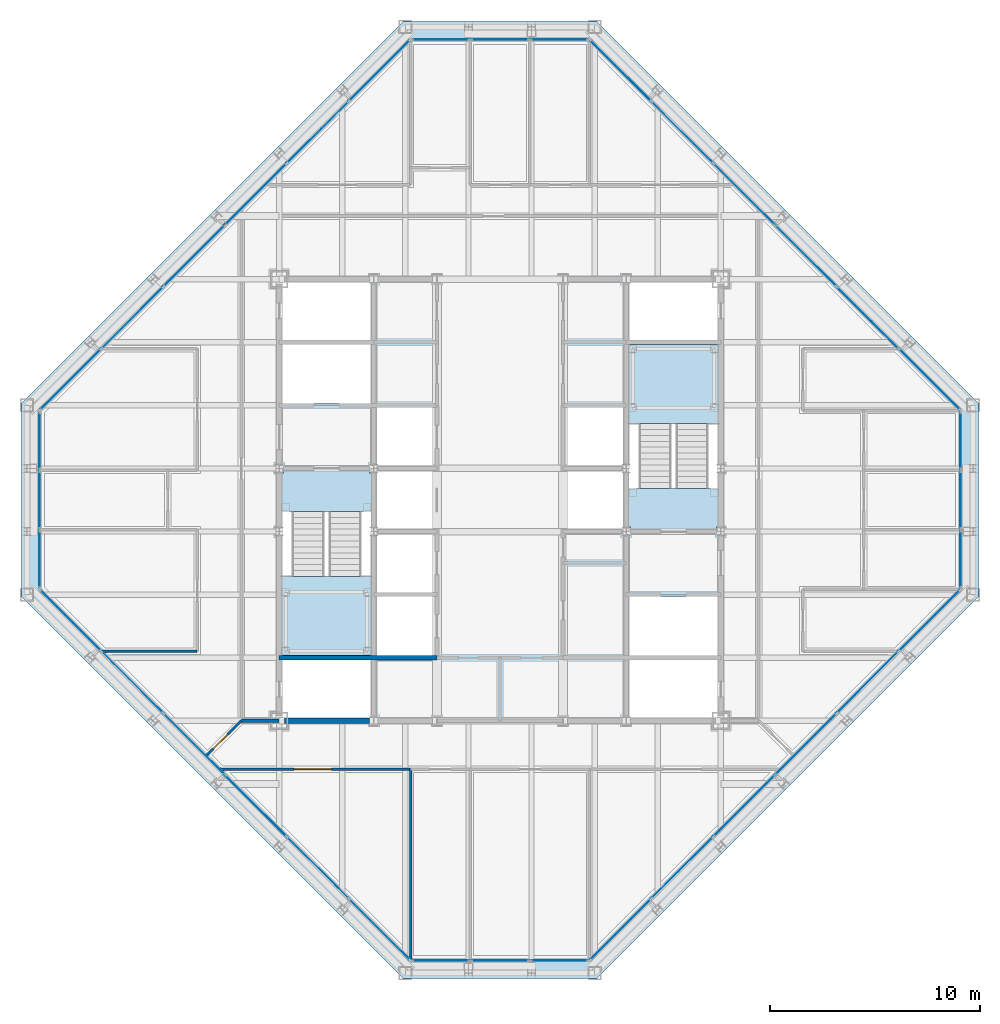
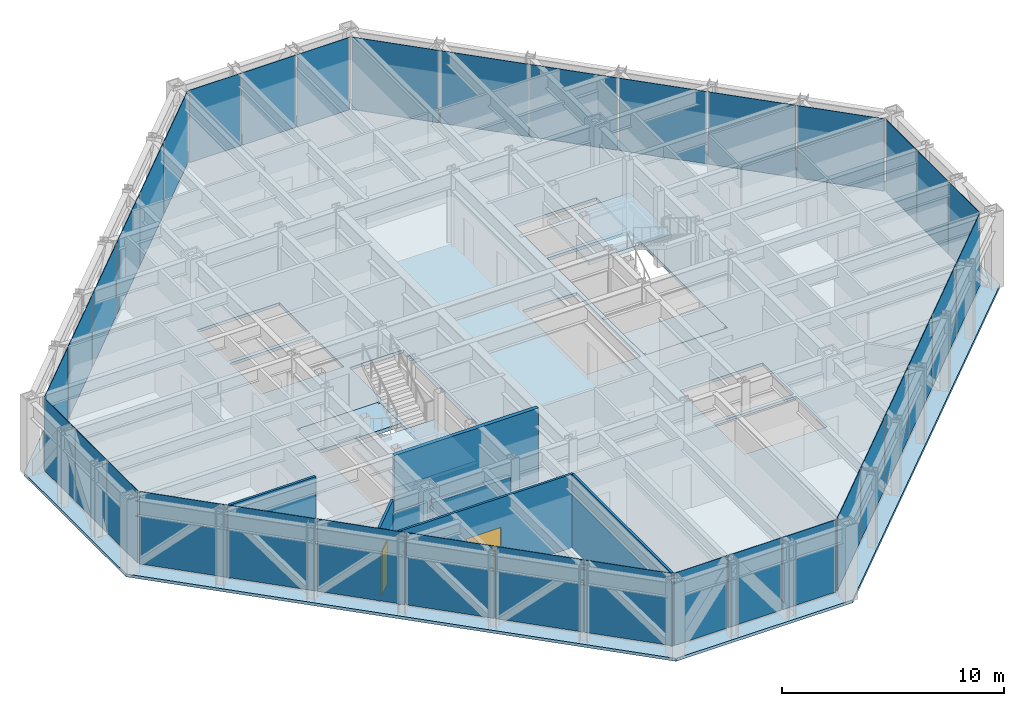
# One storey, part 9 of 15: 36 plates, 7 walls, 5 slabs, 2 doors, 2 openings, 10 elements without a shape of their own.
"""IFC4 building model written with IfcOpenShell, lengths in metres."""

from ifc_helpers import new_model, si_unit, direction, frame, frame_2d, origin, origin_2d, place, context, subcontext, project, spatial, polyline, rectangle, outline, extrude, material, layer, layer_set, type_object, element, fill, aggregate, save


model = new_model("IFC4")

# Units and contexts
model_context = context("Model", 3, precision=1e-05, world=origin(), true_north=direction((0.0, 1.0)))
body_context = subcontext(model_context, "Body", "Model", "MODEL_VIEW")
ifc_project = project(units=[si_unit("LENGTHUNIT", "METRE"), si_unit("AREAUNIT", "SQUARE_METRE"), si_unit("VOLUMEUNIT", "CUBIC_METRE"), si_unit("PLANEANGLEUNIT", "RADIAN"), si_unit("MASSUNIT", "GRAM", prefix="KILO")], contexts=[model_context])

# Site, building, storey
site_placement = place(None, origin())
site = spatial("IfcSite", under=ifc_project, at=site_placement, CompositionType="ELEMENT")
building_placement = place(site_placement, origin())
building = spatial("IfcBuilding", under=site, at=building_placement, Name="Chuquiago Exchange Tower", CompositionType="ELEMENT")
storey_placement = place(building_placement, frame((0.0, 0.0, 291.60009765625)))
storey = spatial("IfcBuildingStorey", under=building, at=storey_placement, Name="L65", CompositionType="ELEMENT", Elevation=291.60009765625)

# Curtain wall, plate
ifc_material_1 = material(Name="Aluminium curtain wall system", Category="aluminium")
ifc_layer_1 = layer(ifc_material_1, 0.22509765625)
ifc_layer_set_1 = layer_set([ifc_layer_1], Name="CW2 office curtain wall")
curtain_wall_type_1 = type_object("IfcCurtainWallType", Name="CW2 office curtain wall", PredefinedType="NOTDEFINED", material=ifc_layer_set_1)
curtain_wall_1_placement = place(storey_placement, origin())
curtain_wall_1 = element("IfcCurtainWall", 1, at=curtain_wall_1_placement, inside=storey, type_object=curtain_wall_type_1, Name="CW2 curtain wall L65", PredefinedType="NOTDEFINED")
ifc_material_2 = material(Name="Glass, insulating unit", Category="glass")
ifc_layer_2 = layer(ifc_material_2, 0.030029296875)
ifc_layer_set_2 = layer_set([ifc_layer_2], Name="CW2-P panel 30")
plate_type_1 = type_object("IfcPlateType", Name="CW2-P panel 30", PredefinedType="CURTAIN_PANEL", material=ifc_layer_set_2)
plate_1_placement = place(storey_placement, frame((25.318115234375, 0.60009765625, 0.06494140625), z_axis=(0.0, 0.0, 1.0), x_axis=(1.0, 0.0, 0.0)))
plate_1 = element("IfcPlate", 2, at=plate_1_placement, type_object=plate_type_1, Name="CW2 panel 3.1", PredefinedType="CURTAIN_PANEL", context=body_context, shape_type="SweptSolid", body=[
    extrude(rectangle(XDim=2.73681640625, YDim=0.030029296875, at=origin_2d()), origin(), (0.0, 0.0, 1.0), 3.97509765625),
])

curtain_wall_2_placement = place(storey_placement, origin())
curtain_wall_2 = element("IfcCurtainWall", 3, at=curtain_wall_2_placement, inside=storey, type_object=curtain_wall_type_1, Name="CW2 curtain wall L65", PredefinedType="NOTDEFINED")
plate_2_placement = place(storey_placement, frame((44.39990234375, 25.318115234375, 0.06494140625), z_axis=(0.0, 0.0, 1.0), x_axis=(0.0, 1.0, 0.0)))
plate_2 = element("IfcPlate", 4, at=plate_2_placement, type_object=plate_type_1, Name="CW2 panel 3.1", PredefinedType="CURTAIN_PANEL", context=body_context, shape_type="SweptSolid", body=[
    extrude(rectangle(XDim=2.73681640625, YDim=0.030029296875, at=origin_2d()), origin(), (0.0, 0.0, 1.0), 3.97509765625),
])

curtain_wall_3_placement = place(storey_placement, origin())
curtain_wall_3 = element("IfcCurtainWall", 5, at=curtain_wall_3_placement, inside=storey, type_object=curtain_wall_type_1, Name="CW2 curtain wall L65", PredefinedType="NOTDEFINED")
plate_3_placement = place(storey_placement, frame((19.681884765625, 44.39990234375, 0.06494140625), z_axis=(0.0, 0.0, 1.0), x_axis=(-1.0, 0.0, 0.0)))
plate_3 = element("IfcPlate", 6, at=plate_3_placement, type_object=plate_type_1, Name="CW2 panel 3.1", PredefinedType="CURTAIN_PANEL", context=body_context, shape_type="SweptSolid", body=[
    extrude(rectangle(XDim=2.73681640625, YDim=0.030029296875, at=origin_2d()), origin(), (0.0, 0.0, 1.0), 3.97509765625),
])

curtain_wall_4_placement = place(storey_placement, origin())
curtain_wall_4 = element("IfcCurtainWall", 7, at=curtain_wall_4_placement, inside=storey, type_object=curtain_wall_type_1, Name="CW2 curtain wall L65", PredefinedType="NOTDEFINED")
plate_4_placement = place(storey_placement, frame((0.60009765625, 19.681884765625, 0.06494140625), z_axis=(0.0, 0.0, 1.0), x_axis=(0.0, -1.0, 0.0)))
plate_4 = element("IfcPlate", 8, at=plate_4_placement, type_object=plate_type_1, Name="CW2 panel 3.1", PredefinedType="CURTAIN_PANEL", context=body_context, shape_type="SweptSolid", body=[
    extrude(rectangle(XDim=2.73681640625, YDim=0.030029296875, at=origin_2d()), origin(), (0.0, 0.0, 1.0), 3.97509765625),
])

# Plate
ifc_material_3 = material(Name="Insulated spandrel panel, pale anodised aluminium", Category="aluminium")
ifc_layer_3 = layer(ifc_material_3, 0.030029296875)
ifc_layer_set_3 = layer_set([ifc_layer_3], Name="CW2-P spandrel panel 30")
plate_type_2 = type_object("IfcPlateType", Name="CW2-P spandrel panel 30", PredefinedType="CURTAIN_PANEL", material=ifc_layer_set_3)
plate_5_placement = place(storey_placement, frame((19.681884765625, 0.60009765625, 0.06494140625), z_axis=(0.0, 0.0, 1.0), x_axis=(1.0, 0.0, 0.0)))
plate_5 = element("IfcPlate", 9, at=plate_5_placement, type_object=plate_type_2, Name="CW2 panel 1.1", PredefinedType="CURTAIN_PANEL", context=body_context, shape_type="SweptSolid", body=[
    extrude(rectangle(XDim=2.73681640625, YDim=0.030029296875, at=origin_2d()), origin(), (0.0, 0.0, 1.0), 3.97509765625),
])

plate_6_placement = place(storey_placement, frame((22.5, 0.60009765625, 0.06494140625), z_axis=(0.0, 0.0, 1.0), x_axis=(1.0, 0.0, 0.0)))
plate_6 = element("IfcPlate", 10, at=plate_6_placement, type_object=plate_type_2, Name="CW2 panel 2.1", PredefinedType="CURTAIN_PANEL", context=body_context, shape_type="SweptSolid", body=[
    extrude(rectangle(XDim=2.769287109375, YDim=0.030029296875, at=origin_2d()), origin(), (0.0, 0.0, 1.0), 3.97509765625),
])

aggregate(curtain_wall_1, [plate_5, plate_6, plate_1])

plate_7_placement = place(storey_placement, frame((44.39990234375, 19.681884765625, 0.06494140625), z_axis=(0.0, 0.0, 1.0), x_axis=(0.0, 1.0, 0.0)))
plate_7 = element("IfcPlate", 11, at=plate_7_placement, type_object=plate_type_2, Name="CW2 panel 1.1", PredefinedType="CURTAIN_PANEL", context=body_context, shape_type="SweptSolid", body=[
    extrude(rectangle(XDim=2.73681640625, YDim=0.030029296875, at=origin_2d()), origin(), (0.0, 0.0, 1.0), 3.97509765625),
])

plate_8_placement = place(storey_placement, frame((44.39990234375, 22.5, 0.06494140625), z_axis=(0.0, 0.0, 1.0), x_axis=(0.0, 1.0, 0.0)))
plate_8 = element("IfcPlate", 12, at=plate_8_placement, type_object=plate_type_2, Name="CW2 panel 2.1", PredefinedType="CURTAIN_PANEL", context=body_context, shape_type="SweptSolid", body=[
    extrude(rectangle(XDim=2.769287109375, YDim=0.030029296875, at=origin_2d()), origin(), (0.0, 0.0, 1.0), 3.97509765625),
])

aggregate(curtain_wall_2, [plate_7, plate_8, plate_2])

plate_9_placement = place(storey_placement, frame((25.318115234375, 44.39990234375, 0.06494140625), z_axis=(0.0, 0.0, 1.0), x_axis=(-1.0, 0.0, 0.0)))
plate_9 = element("IfcPlate", 13, at=plate_9_placement, type_object=plate_type_2, Name="CW2 panel 1.1", PredefinedType="CURTAIN_PANEL", context=body_context, shape_type="SweptSolid", body=[
    extrude(rectangle(XDim=2.73681640625, YDim=0.030029296875, at=origin_2d()), origin(), (0.0, 0.0, 1.0), 3.97509765625),
])

plate_10_placement = place(storey_placement, frame((22.5, 44.39990234375, 0.06494140625), z_axis=(0.0, 0.0, 1.0), x_axis=(-1.0, 0.0, 0.0)))
plate_10 = element("IfcPlate", 14, at=plate_10_placement, type_object=plate_type_2, Name="CW2 panel 2.1", PredefinedType="CURTAIN_PANEL", context=body_context, shape_type="SweptSolid", body=[
    extrude(rectangle(XDim=2.769287109375, YDim=0.030029296875, at=origin_2d()), origin(), (0.0, 0.0, 1.0), 3.97509765625),
])

aggregate(curtain_wall_3, [plate_9, plate_10, plate_3])

plate_11_placement = place(storey_placement, frame((0.60009765625, 25.318115234375, 0.06494140625), z_axis=(0.0, 0.0, 1.0), x_axis=(0.0, -1.0, 0.0)))
plate_11 = element("IfcPlate", 15, at=plate_11_placement, type_object=plate_type_2, Name="CW2 panel 1.1", PredefinedType="CURTAIN_PANEL", context=body_context, shape_type="SweptSolid", body=[
    extrude(rectangle(XDim=2.73681640625, YDim=0.030029296875, at=origin_2d()), origin(), (0.0, 0.0, 1.0), 3.97509765625),
])

plate_12_placement = place(storey_placement, frame((0.60009765625, 22.5, 0.06494140625), z_axis=(0.0, 0.0, 1.0), x_axis=(0.0, -1.0, 0.0)))
plate_12 = element("IfcPlate", 16, at=plate_12_placement, type_object=plate_type_2, Name="CW2 panel 2.1", PredefinedType="CURTAIN_PANEL", context=body_context, shape_type="SweptSolid", body=[
    extrude(rectangle(XDim=2.769287109375, YDim=0.030029296875, at=origin_2d()), origin(), (0.0, 0.0, 1.0), 3.97509765625),
])

aggregate(curtain_wall_4, [plate_11, plate_12, plate_4])

# Curtain wall, plates
ifc_material_4 = material(Name="Aluminium curtain wall system", Category="aluminium")
ifc_layer_4 = layer(ifc_material_4, 0.199951171875)
ifc_layer_set_4 = layer_set([ifc_layer_4], Name="CW3 facet curtain wall")
curtain_wall_type_2 = type_object("IfcCurtainWallType", Name="CW3 facet curtain wall", PredefinedType="NOTDEFINED", material=ifc_layer_set_4)
curtain_wall_5_placement = place(storey_placement, origin())
curtain_wall_5 = element("IfcCurtainWall", 17, at=curtain_wall_5_placement, inside=storey, type_object=curtain_wall_type_2, Name="CW3 curtain wall L65", PredefinedType="NOTDEFINED")
ifc_material_5 = material(Name="Insulated spandrel panel, pale anodised aluminium", Category="aluminium")
ifc_layer_5 = layer(ifc_material_5, 0.030029296875)
ifc_layer_set_5 = layer_set([ifc_layer_5], Name="CW3-P spandrel panel 30")
plate_type_3 = type_object("IfcPlateType", Name="CW3-P spandrel panel 30", PredefinedType="CURTAIN_PANEL", material=ifc_layer_set_5)
plate_13_placement = place(storey_placement, frame((28.233642578125, 2.082275390625, 0.06494140625), z_axis=(0.0, 0.0, 1.0), x_axis=(0.707106781187, 0.707106781187, 0.0)))
plate_13 = element("IfcPlate", 18, at=plate_13_placement, type_object=plate_type_3, Name="CW3 panel 1.1", PredefinedType="CURTAIN_PANEL", context=body_context, shape_type="SweptSolid", body=[
    extrude(rectangle(XDim=4.062255859375, YDim=0.030029296875, at=origin_2d()), origin(), (0.0, 0.0, 1.0), 3.97509765625),
])
plate_14_placement = place(storey_placement, frame((31.16357421875, 5.01220703125, 0.06494140625), z_axis=(0.0, 0.0, 1.0), x_axis=(0.707106781187, 0.707106781187, 0.0)))
plate_14 = element("IfcPlate", 19, at=plate_14_placement, type_object=plate_type_3, Name="CW3 panel 2.1", PredefinedType="CURTAIN_PANEL", context=body_context, shape_type="SweptSolid", body=[
    extrude(rectangle(XDim=4.0947265625, YDim=0.030029296875, at=origin_2d()), origin(), (0.0, 0.0, 1.0), 3.97509765625),
])
plate_15_placement = place(storey_placement, frame((34.10498046875, 7.95361328125, 0.06494140625), z_axis=(0.0, 0.0, 1.0), x_axis=(0.707106781187, 0.707106781187, 0.0)))
plate_15 = element("IfcPlate", 20, at=plate_15_placement, type_object=plate_type_3, Name="CW3 panel 3.1", PredefinedType="CURTAIN_PANEL", context=body_context, shape_type="SweptSolid", body=[
    extrude(rectangle(XDim=4.0947265625, YDim=0.030029296875, at=origin_2d()), origin(), (0.0, 0.0, 1.0), 3.97509765625),
])
plate_16_placement = place(storey_placement, frame((37.04638671875, 10.89501953125, 0.06494140625), z_axis=(0.0, 0.0, 1.0), x_axis=(0.707106781187, 0.707106781187, 0.0)))
plate_16 = element("IfcPlate", 21, at=plate_16_placement, type_object=plate_type_3, Name="CW3 panel 4.1", PredefinedType="CURTAIN_PANEL", context=body_context, shape_type="SweptSolid", body=[
    extrude(rectangle(XDim=4.0947265625, YDim=0.030029296875, at=origin_2d()), origin(), (0.0, 0.0, 1.0), 3.97509765625),
])
plate_17_placement = place(storey_placement, frame((39.98779296875, 13.83642578125, 0.06494140625), z_axis=(0.0, 0.0, 1.0), x_axis=(0.707106781187, 0.707106781187, 0.0)))
plate_17 = element("IfcPlate", 22, at=plate_17_placement, type_object=plate_type_3, Name="CW3 panel 5.1", PredefinedType="CURTAIN_PANEL", context=body_context, shape_type="SweptSolid", body=[
    extrude(rectangle(XDim=4.0947265625, YDim=0.030029296875, at=origin_2d()), origin(), (0.0, 0.0, 1.0), 3.97509765625),
])
plate_18_placement = place(storey_placement, frame((42.917724609375, 16.766357421875, 0.06494140625), z_axis=(0.0, 0.0, 1.0), x_axis=(0.707106781187, 0.707106781187, 0.0)))
plate_18 = element("IfcPlate", 23, at=plate_18_placement, type_object=plate_type_3, Name="CW3 panel 6.1", PredefinedType="CURTAIN_PANEL", context=body_context, shape_type="SweptSolid", body=[
    extrude(rectangle(XDim=4.062255859375, YDim=0.030029296875, at=origin_2d()), origin(), (0.0, 0.0, 1.0), 3.97509765625),
])
aggregate(curtain_wall_5, [plate_13, plate_14, plate_15, plate_16, plate_17, plate_18])

curtain_wall_6_placement = place(storey_placement, origin())
curtain_wall_6 = element("IfcCurtainWall", 24, at=curtain_wall_6_placement, inside=storey, type_object=curtain_wall_type_2, Name="CW3 curtain wall L65", PredefinedType="NOTDEFINED")
plate_19_placement = place(storey_placement, frame((42.917724609375, 28.233642578125, 0.06494140625), z_axis=(0.0, 0.0, 1.0), x_axis=(-0.707106781187, 0.707106781187, 0.0)))
plate_19 = element("IfcPlate", 25, at=plate_19_placement, type_object=plate_type_3, Name="CW3 panel 1.1", PredefinedType="CURTAIN_PANEL", context=body_context, shape_type="SweptSolid", body=[
    extrude(rectangle(XDim=4.062255859375, YDim=0.030029296875, at=origin_2d()), origin(), (0.0, 0.0, 1.0), 3.97509765625),
])
plate_20_placement = place(storey_placement, frame((39.98779296875, 31.16357421875, 0.06494140625), z_axis=(0.0, 0.0, 1.0), x_axis=(-0.707106781187, 0.707106781187, 0.0)))
plate_20 = element("IfcPlate", 26, at=plate_20_placement, type_object=plate_type_3, Name="CW3 panel 2.1", PredefinedType="CURTAIN_PANEL", context=body_context, shape_type="SweptSolid", body=[
    extrude(rectangle(XDim=4.0947265625, YDim=0.030029296875, at=origin_2d()), origin(), (0.0, 0.0, 1.0), 3.97509765625),
])
plate_21_placement = place(storey_placement, frame((37.04638671875, 34.10498046875, 0.06494140625), z_axis=(0.0, 0.0, 1.0), x_axis=(-0.707106781187, 0.707106781187, 0.0)))
plate_21 = element("IfcPlate", 27, at=plate_21_placement, type_object=plate_type_3, Name="CW3 panel 3.1", PredefinedType="CURTAIN_PANEL", context=body_context, shape_type="SweptSolid", body=[
    extrude(rectangle(XDim=4.0947265625, YDim=0.030029296875, at=origin_2d()), origin(), (0.0, 0.0, 1.0), 3.97509765625),
])
plate_22_placement = place(storey_placement, frame((34.10498046875, 37.04638671875, 0.06494140625), z_axis=(0.0, 0.0, 1.0), x_axis=(-0.707106781187, 0.707106781187, 0.0)))
plate_22 = element("IfcPlate", 28, at=plate_22_placement, type_object=plate_type_3, Name="CW3 panel 4.1", PredefinedType="CURTAIN_PANEL", context=body_context, shape_type="SweptSolid", body=[
    extrude(rectangle(XDim=4.0947265625, YDim=0.030029296875, at=origin_2d()), origin(), (0.0, 0.0, 1.0), 3.97509765625),
])
plate_23_placement = place(storey_placement, frame((31.16357421875, 39.98779296875, 0.06494140625), z_axis=(0.0, 0.0, 1.0), x_axis=(-0.707106781187, 0.707106781187, 0.0)))
plate_23 = element("IfcPlate", 29, at=plate_23_placement, type_object=plate_type_3, Name="CW3 panel 5.1", PredefinedType="CURTAIN_PANEL", context=body_context, shape_type="SweptSolid", body=[
    extrude(rectangle(XDim=4.0947265625, YDim=0.030029296875, at=origin_2d()), origin(), (0.0, 0.0, 1.0), 3.97509765625),
])
plate_24_placement = place(storey_placement, frame((28.233642578125, 42.917724609375, 0.06494140625), z_axis=(0.0, 0.0, 1.0), x_axis=(-0.707106781187, 0.707106781187, 0.0)))
plate_24 = element("IfcPlate", 30, at=plate_24_placement, type_object=plate_type_3, Name="CW3 panel 6.1", PredefinedType="CURTAIN_PANEL", context=body_context, shape_type="SweptSolid", body=[
    extrude(rectangle(XDim=4.062255859375, YDim=0.030029296875, at=origin_2d()), origin(), (0.0, 0.0, 1.0), 3.97509765625),
])
aggregate(curtain_wall_6, [plate_19, plate_20, plate_21, plate_22, plate_23, plate_24])

curtain_wall_7_placement = place(storey_placement, origin())
curtain_wall_7 = element("IfcCurtainWall", 31, at=curtain_wall_7_placement, inside=storey, type_object=curtain_wall_type_2, Name="CW3 curtain wall L65", PredefinedType="NOTDEFINED")
plate_25_placement = place(storey_placement, frame((16.766357421875, 42.917724609375, 0.06494140625), z_axis=(0.0, 0.0, 1.0), x_axis=(-0.707106781187, -0.707106781187, 0.0)))
plate_25 = element("IfcPlate", 32, at=plate_25_placement, type_object=plate_type_3, Name="CW3 panel 1.1", PredefinedType="CURTAIN_PANEL", context=body_context, shape_type="SweptSolid", body=[
    extrude(rectangle(XDim=4.062255859375, YDim=0.030029296875, at=origin_2d()), origin(), (0.0, 0.0, 1.0), 3.97509765625),
])
plate_26_placement = place(storey_placement, frame((13.83642578125, 39.98779296875, 0.06494140625), z_axis=(0.0, 0.0, 1.0), x_axis=(-0.707106781187, -0.707106781187, 0.0)))
plate_26 = element("IfcPlate", 33, at=plate_26_placement, type_object=plate_type_3, Name="CW3 panel 2.1", PredefinedType="CURTAIN_PANEL", context=body_context, shape_type="SweptSolid", body=[
    extrude(rectangle(XDim=4.0947265625, YDim=0.030029296875, at=origin_2d()), origin(), (0.0, 0.0, 1.0), 3.97509765625),
])
plate_27_placement = place(storey_placement, frame((10.89501953125, 37.04638671875, 0.06494140625), z_axis=(0.0, 0.0, 1.0), x_axis=(-0.707106781187, -0.707106781187, 0.0)))
plate_27 = element("IfcPlate", 34, at=plate_27_placement, type_object=plate_type_3, Name="CW3 panel 3.1", PredefinedType="CURTAIN_PANEL", context=body_context, shape_type="SweptSolid", body=[
    extrude(rectangle(XDim=4.0947265625, YDim=0.030029296875, at=origin_2d()), origin(), (0.0, 0.0, 1.0), 3.97509765625),
])
plate_28_placement = place(storey_placement, frame((7.95361328125, 34.10498046875, 0.06494140625), z_axis=(0.0, 0.0, 1.0), x_axis=(-0.707106781187, -0.707106781187, 0.0)))
plate_28 = element("IfcPlate", 35, at=plate_28_placement, type_object=plate_type_3, Name="CW3 panel 4.1", PredefinedType="CURTAIN_PANEL", context=body_context, shape_type="SweptSolid", body=[
    extrude(rectangle(XDim=4.0947265625, YDim=0.030029296875, at=origin_2d()), origin(), (0.0, 0.0, 1.0), 3.97509765625),
])
plate_29_placement = place(storey_placement, frame((5.01220703125, 31.16357421875, 0.06494140625), z_axis=(0.0, 0.0, 1.0), x_axis=(-0.707106781187, -0.707106781187, 0.0)))
plate_29 = element("IfcPlate", 36, at=plate_29_placement, type_object=plate_type_3, Name="CW3 panel 5.1", PredefinedType="CURTAIN_PANEL", context=body_context, shape_type="SweptSolid", body=[
    extrude(rectangle(XDim=4.0947265625, YDim=0.030029296875, at=origin_2d()), origin(), (0.0, 0.0, 1.0), 3.97509765625),
])
plate_30_placement = place(storey_placement, frame((2.082275390625, 28.233642578125, 0.06494140625), z_axis=(0.0, 0.0, 1.0), x_axis=(-0.707106781187, -0.707106781187, 0.0)))
plate_30 = element("IfcPlate", 37, at=plate_30_placement, type_object=plate_type_3, Name="CW3 panel 6.1", PredefinedType="CURTAIN_PANEL", context=body_context, shape_type="SweptSolid", body=[
    extrude(rectangle(XDim=4.062255859375, YDim=0.030029296875, at=origin_2d()), origin(), (0.0, 0.0, 1.0), 3.97509765625),
])
aggregate(curtain_wall_7, [plate_25, plate_26, plate_27, plate_28, plate_29, plate_30])

curtain_wall_8_placement = place(storey_placement, origin())
curtain_wall_8 = element("IfcCurtainWall", 38, at=curtain_wall_8_placement, inside=storey, type_object=curtain_wall_type_2, Name="CW3 curtain wall L65", PredefinedType="NOTDEFINED")
plate_31_placement = place(storey_placement, frame((2.082275390625, 16.766357421875, 0.06494140625), z_axis=(0.0, 0.0, 1.0), x_axis=(0.707106781187, -0.707106781187, 0.0)))
plate_31 = element("IfcPlate", 39, at=plate_31_placement, type_object=plate_type_3, Name="CW3 panel 1.1", PredefinedType="CURTAIN_PANEL", context=body_context, shape_type="SweptSolid", body=[
    extrude(rectangle(XDim=4.062255859375, YDim=0.030029296875, at=origin_2d()), origin(), (0.0, 0.0, 1.0), 3.97509765625),
])
plate_32_placement = place(storey_placement, frame((5.01220703125, 13.83642578125, 0.06494140625), z_axis=(0.0, 0.0, 1.0), x_axis=(0.707106781187, -0.707106781187, 0.0)))
plate_32 = element("IfcPlate", 40, at=plate_32_placement, type_object=plate_type_3, Name="CW3 panel 2.1", PredefinedType="CURTAIN_PANEL", context=body_context, shape_type="SweptSolid", body=[
    extrude(rectangle(XDim=4.0947265625, YDim=0.030029296875, at=origin_2d()), origin(), (0.0, 0.0, 1.0), 3.97509765625),
])
plate_33_placement = place(storey_placement, frame((7.95361328125, 10.89501953125, 0.06494140625), z_axis=(0.0, 0.0, 1.0), x_axis=(0.707106781187, -0.707106781187, 0.0)))
plate_33 = element("IfcPlate", 41, at=plate_33_placement, type_object=plate_type_3, Name="CW3 panel 3.1", PredefinedType="CURTAIN_PANEL", context=body_context, shape_type="SweptSolid", body=[
    extrude(rectangle(XDim=4.0947265625, YDim=0.030029296875, at=origin_2d()), origin(), (0.0, 0.0, 1.0), 3.97509765625),
])
plate_34_placement = place(storey_placement, frame((10.89501953125, 7.95361328125, 0.06494140625), z_axis=(0.0, 0.0, 1.0), x_axis=(0.707106781187, -0.707106781187, 0.0)))
plate_34 = element("IfcPlate", 42, at=plate_34_placement, type_object=plate_type_3, Name="CW3 panel 4.1", PredefinedType="CURTAIN_PANEL", context=body_context, shape_type="SweptSolid", body=[
    extrude(rectangle(XDim=4.0947265625, YDim=0.030029296875, at=origin_2d()), origin(), (0.0, 0.0, 1.0), 3.97509765625),
])
plate_35_placement = place(storey_placement, frame((13.83642578125, 5.01220703125, 0.06494140625), z_axis=(0.0, 0.0, 1.0), x_axis=(0.707106781187, -0.707106781187, 0.0)))
plate_35 = element("IfcPlate", 43, at=plate_35_placement, type_object=plate_type_3, Name="CW3 panel 5.1", PredefinedType="CURTAIN_PANEL", context=body_context, shape_type="SweptSolid", body=[
    extrude(rectangle(XDim=4.0947265625, YDim=0.030029296875, at=origin_2d()), origin(), (0.0, 0.0, 1.0), 3.97509765625),
])
plate_36_placement = place(storey_placement, frame((16.766357421875, 2.082275390625, 0.06494140625), z_axis=(0.0, 0.0, 1.0), x_axis=(0.707106781187, -0.707106781187, 0.0)))
plate_36 = element("IfcPlate", 44, at=plate_36_placement, type_object=plate_type_3, Name="CW3 panel 6.1", PredefinedType="CURTAIN_PANEL", context=body_context, shape_type="SweptSolid", body=[
    extrude(rectangle(XDim=4.062255859375, YDim=0.030029296875, at=origin_2d()), origin(), (0.0, 0.0, 1.0), 3.97509765625),
])
aggregate(curtain_wall_8, [plate_31, plate_32, plate_33, plate_34, plate_35, plate_36])

# Slab
ifc_material_6 = material(Name="Concrete C30/37", Category="concrete")
ifc_layer_6 = layer(ifc_material_6, 0.159912109375)
ifc_layer_set_6 = layer_set([ifc_layer_6], Name="FS1 composite floor 160")
slab_type_1 = type_object("IfcSlabType", Name="FS1 composite floor 160", PredefinedType="FLOOR", material=ifc_layer_set_6)
slab_1_placement = place(storey_placement, frame((0.0, 0.0, -0.16015625)))
element("IfcSlab", 45, at=slab_1_placement, inside=storey, type_object=slab_type_1, Name="L65 floor slab", PredefinedType="FLOOR", context=body_context, shape_type="SweptSolid", body=[
    extrude(outline(polyline([(17.896484375, -0.25), (-0.25, 17.896484375), (-0.25, 27.103515625), (17.896484375, 45.25), (27.103515625, 45.25), (45.25, 27.103515625), (45.25, 17.896484375), (27.103515625, -0.25), (17.896484375, -0.25)]), holes=[polyline([(16.39990234375, 15.10009765625), (12.10009765625, 15.10009765625), (12.10009765625, 23.89990234375), (16.39990234375, 23.89990234375), (16.39990234375, 15.10009765625)]), polyline([(32.89990234375, 21.10009765625), (28.60009765625, 21.10009765625), (28.60009765625, 29.89990234375), (32.89990234375, 29.89990234375), (32.89990234375, 21.10009765625)]), polyline([(16.39990234375, 12.10009765625), (12.10009765625, 12.10009765625), (12.10009765625, 14.89990234375), (16.39990234375, 14.89990234375), (16.39990234375, 12.10009765625)]), polyline([(16.39990234375, 30.10009765625), (12.10009765625, 30.10009765625), (12.10009765625, 32.89990234375), (16.39990234375, 32.89990234375), (16.39990234375, 30.10009765625)]), polyline([(32.89990234375, 12.10009765625), (28.60009765625, 12.10009765625), (28.60009765625, 14.89990234375), (32.89990234375, 14.89990234375), (32.89990234375, 12.10009765625)]), polyline([(32.89990234375, 30.10009765625), (28.60009765625, 30.10009765625), (28.60009765625, 32.89990234375), (32.89990234375, 32.89990234375), (32.89990234375, 30.10009765625)]), polyline([(16.39990234375, 27.10009765625), (12.10009765625, 27.10009765625), (12.10009765625, 29.89990234375), (16.39990234375, 29.89990234375), (16.39990234375, 27.10009765625)]), polyline([(32.89990234375, 15.10009765625), (28.60009765625, 15.10009765625), (28.60009765625, 17.89990234375), (32.89990234375, 17.89990234375), (32.89990234375, 15.10009765625)]), polyline([(19.39990234375, 15.10009765625), (16.60009765625, 15.10009765625), (16.60009765625, 26.89990234375), (19.39990234375, 26.89990234375), (19.39990234375, 15.10009765625)]), polyline([(28.39990234375, 21.10009765625), (25.60009765625, 21.10009765625), (25.60009765625, 26.89990234375), (28.39990234375, 26.89990234375), (28.39990234375, 21.10009765625)])]), origin(), (0.0, 0.0, 1.0), 0.16015625),
])

# Stair, slabs
ifc_material_7 = material(Name="Concrete C30/37, precast", Category="concrete")
stair_type_1 = type_object("IfcStairType", Name="ST1 half-turn stair 4200", PredefinedType="HALF_TURN_STAIR", material=ifc_material_7)
stair_1_placement = place(storey_placement, origin())
stair_1 = element("IfcStair", 46, at=stair_1_placement, inside=storey, type_object=stair_type_1, Name="Stair ST1 L65", PredefinedType="HALF_TURN_STAIR")
ifc_material_8 = material(Name="Concrete C30/37, precast", Category="concrete")
ifc_layer_7 = layer(ifc_material_8, 0.199951171875)
ifc_layer_set_7 = layer_set([ifc_layer_7], Name="ST-L landing 200")
slab_type_2 = type_object("IfcSlabType", Name="ST-L landing 200", PredefinedType="LANDING", material=ifc_layer_set_7)
slab_2_placement = place(storey_placement, frame((0.0, 0.0, -0.2001953125)))
slab_2 = element("IfcSlab", 47, at=slab_2_placement, type_object=slab_type_2, Name="ST1 landing 1", PredefinedType="LANDING", context=body_context, shape_type="SweptSolid", body=[
    extrude(outline(polyline([(12.208251953125, 23.89990234375), (16.291748046875, 23.89990234375), (16.291748046875, 23.77783203125), (16.39990234375, 23.77783203125), (16.39990234375, 21.949951171875), (12.10009765625, 21.949951171875), (12.10009765625, 23.77783203125), (12.208251953125, 23.77783203125), (12.208251953125, 23.89990234375)])), origin(), (0.0, 0.0, 1.0), 0.2001953125),
])
slab_3_placement = place(storey_placement, frame((0.0, 0.0, 1.89990234375)))
slab_3 = element("IfcSlab", 48, at=slab_3_placement, type_object=slab_type_2, Name="ST1 landing 2", PredefinedType="LANDING", context=body_context, shape_type="SweptSolid", body=[
    extrude(outline(polyline([(12.10009765625, 18.8701171875), (16.39990234375, 18.8701171875), (16.39990234375, 15.10009765625), (12.10009765625, 15.10009765625), (12.10009765625, 18.8701171875)])), origin(), (0.0, 0.0, 1.0), 0.199951171875),
])
aggregate(stair_1, [slab_2, slab_3])

ifc_material_9 = material(Name="Concrete C30/37, precast", Category="concrete")
stair_type_2 = type_object("IfcStairType", Name="ST2 half-turn stair 4200", PredefinedType="HALF_TURN_STAIR", material=ifc_material_9)
stair_2_placement = place(storey_placement, origin())
stair_2 = element("IfcStair", 49, at=stair_2_placement, inside=storey, type_object=stair_type_2, Name="Stair ST2 L65", PredefinedType="HALF_TURN_STAIR")
slab_4_placement = place(storey_placement, frame((0.0, 0.0, -0.2001953125)))
slab_4 = element("IfcSlab", 50, at=slab_4_placement, type_object=slab_type_2, Name="ST2 landing 1", PredefinedType="LANDING", context=body_context, shape_type="SweptSolid", body=[
    extrude(outline(polyline([(32.791748046875, 21.22216796875), (32.791748046875, 21.10009765625), (28.708251953125, 21.10009765625), (28.708251953125, 21.22216796875), (28.60009765625, 21.22216796875), (28.60009765625, 23.050048828125), (32.89990234375, 23.050048828125), (32.89990234375, 21.22216796875), (32.791748046875, 21.22216796875)])), origin(), (0.0, 0.0, 1.0), 0.2001953125),
])
slab_5_placement = place(storey_placement, frame((0.0, 0.0, 1.89990234375)))
slab_5 = element("IfcSlab", 51, at=slab_5_placement, type_object=slab_type_2, Name="ST2 landing 2", PredefinedType="LANDING", context=body_context, shape_type="SweptSolid", body=[
    extrude(outline(polyline([(28.60009765625, 29.89990234375), (32.89990234375, 29.89990234375), (32.89990234375, 26.1298828125), (28.60009765625, 26.1298828125), (28.60009765625, 29.89990234375)])), origin(), (0.0, 0.0, 1.0), 0.199951171875),
])
aggregate(stair_2, [slab_4, slab_5])

# Walls
ifc_material_10 = material(Name="Concrete masonry, fully grouted", Category="masonry")
ifc_layer_8 = layer(ifc_material_10, 0.25)
ifc_layer_set_8 = layer_set([ifc_layer_8], Name="W1 core wall 250")
wall_type_1 = type_object("IfcWallType", Name="W1 core wall 250", PredefinedType="SOLIDWALL", material=ifc_layer_set_8)
wall_1_placement = place(storey_placement, frame((12.25, 12.0, 0.0), z_axis=(0.0, 0.0, 1.0), x_axis=(1.0, 0.0, 0.0)))
element("IfcWall", 52, at=wall_1_placement, inside=storey, type_object=wall_type_1, Name="CW-L65-01-0", PredefinedType="SOLIDWALL", context=body_context, shape_type="SweptSolid", body=[
    extrude(rectangle(XDim=4.041748046875, YDim=0.25, at=frame_2d((2.02099609375, 0.0))), origin(), (0.0, 0.0, 1.0), 3.181396484375),
])
ifc_material_11 = material(Name="Gypsum board on steel studs, acoustic insulation", Category="steel")
ifc_layer_9 = layer(ifc_material_11, 0.14990234375)
ifc_layer_set_9 = layer_set([ifc_layer_9], Name="W11 corridor wall 150")
wall_type_2 = type_object("IfcWallType", Name="W11 corridor wall 150", PredefinedType="PARTITIONING", material=ifc_layer_set_9)
wall_2_placement = place(storey_placement, frame((10.199951171875, 12.0, 0.0), z_axis=(0.0, 0.0, 1.0), x_axis=(1.0, 0.0, 0.0)))
element("IfcWall", 53, at=wall_2_placement, inside=storey, type_object=wall_type_2, Name="PW-L65-GWS0", PredefinedType="PARTITIONING", context=body_context, shape_type="SweptSolid", body=[
    extrude(rectangle(XDim=1.800048828125, YDim=0.14990234375, at=frame_2d((0.89990234375, 0.0))), origin(), (0.0, 0.0, 1.0), 3.270263671875),
])
ifc_material_12 = material(Name="Concrete masonry, fully grouted", Category="masonry")
ifc_layer_10 = layer(ifc_material_12, 0.199951171875)
ifc_layer_set_10 = layer_set([ifc_layer_10], Name="W2 shaft wall 200")
wall_type_3 = type_object("IfcWallType", Name="W2 shaft wall 200", PredefinedType="SOLIDWALL", material=ifc_layer_set_10)
wall_3_placement = place(storey_placement, frame((12.0, 15.0, 0.0), z_axis=(0.0, 0.0, 1.0), x_axis=(1.0, 0.0, 0.0)))
element("IfcWall", 54, at=wall_3_placement, inside=storey, type_object=wall_type_3, Name="CW-L65-03-0", PredefinedType="SOLIDWALL", context=body_context, shape_type="SweptSolid", body=[
    extrude(rectangle(XDim=7.5, YDim=0.199951171875, at=frame_2d((3.75, 0.0))), origin(), (0.0, 0.0, 1.0), 4.039794921875),
])
ifc_material_13 = material(Name="Gypsum board on steel studs", Category="steel")
ifc_layer_11 = layer(ifc_material_13, 0.1201171875)
ifc_layer_set_11 = layer_set([ifc_layer_11], Name="W4 partition 120")
wall_type_4 = type_object("IfcWallType", Name="W4 partition 120", PredefinedType="PARTITIONING", material=ifc_layer_set_11)
wall_4_placement = place(storey_placement, frame((18.24853515625, 0.666015625, 0.0), z_axis=(0.0, 0.0, 1.0), x_axis=(0.0, 1.0, 0.0)))
element("IfcWall", 55, at=wall_4_placement, inside=storey, type_object=wall_type_4, Name="PW-L65-S01825", PredefinedType="PARTITIONING", context=body_context, shape_type="SweptSolid", body=[
    extrude(rectangle(XDim=9.033935546875, YDim=0.1201171875, at=frame_2d((4.51708984375, 0.0))), origin(), (0.0, 0.0, 1.0), 4.039794921875),
])

# Wall, opening, door
wall_5_placement = place(storey_placement, frame((9.185546875, 9.699951171875, 0.0), z_axis=(0.0, 0.0, 1.0), x_axis=(1.0, 0.0, 0.0)))
wall_5 = element("IfcWall", 56, at=wall_5_placement, inside=storey, type_object=wall_type_4, Name="PW-L65-SF00942", PredefinedType="PARTITIONING", context=body_context, shape_type="SweptSolid", body=[
    extrude(rectangle(XDim=9.06298828125, YDim=0.1201171875, at=frame_2d((4.531494140625, 0.0))), origin(), (0.0, 0.0, 1.0), 4.039794921875),
])
opening_1_placement = place(wall_5_placement, frame((3.51220703125, 0.0, 0.0)))
opening_1 = element("IfcOpeningElement", 57, at=opening_1_placement, cuts=wall_5, Name="Opening L65-023", PredefinedType="OPENING", context=body_context, shape_type="SweptSolid", body=[
    extrude(rectangle(XDim=1.800048828125, YDim=2.39990234375, at=frame_2d((0.89990234375, 1.199951171875))), frame((0.0, 0.070068359375, 0.0), z_axis=(0.0, -1.0, 0.0), x_axis=(1.0, 0.0, 0.0)), (0.0, 0.0, 1.0), 0.14013671875),
])
ifc_material_14 = material(Name="Timber door pair, laminate faced", Category="wood")
door_type_1 = type_object("IfcDoorType", Name="D15 double room door 1800x2400", OperationType="DOUBLE_DOOR_DOUBLE_SWING", PredefinedType="DOOR", material=ifc_material_14)
door_1_placement = place(opening_1_placement, origin())
door_1 = element("IfcDoor", 58, at=door_1_placement, inside=storey, type_object=door_type_1, Name="Broker lounge door", OperationType="DOUBLE_DOOR_DOUBLE_SWING", OverallHeight=2.39990234375, OverallWidth=1.800048828125, PredefinedType="DOOR", context=body_context, shape_type="SweptSolid", body=[
    extrude(rectangle(XDim=1.800048828125, YDim=2.39990234375, at=frame_2d((0.89990234375, 1.199951171875))), frame((0.0, 0.02490234375, 0.0), z_axis=(0.0, -1.0, 0.0), x_axis=(1.0, 0.0, 0.0)), (0.0, 0.0, 1.0), 0.050048828125),
])
fill(opening_1, door_1)

# Wall
wall_6_placement = place(storey_placement, frame((3.607421875, 15.30712890625, 0.0), z_axis=(0.0, 0.0, 1.0), x_axis=(1.0, 0.0, 0.0)))
element("IfcWall", 59, at=wall_6_placement, inside=storey, type_object=wall_type_4, Name="PW-L65-W01531", PredefinedType="PARTITIONING", context=body_context, shape_type="SweptSolid", body=[
    extrude(rectangle(XDim=4.49267578125, YDim=0.1201171875, at=frame_2d((2.246337890625, 0.0))), origin(), (0.0, 0.0, 1.0), 4.039794921875),
])

# Wall, opening, door
wall_7_placement = place(storey_placement, frame((10.199951171875, 12.0, 0.0), z_axis=(0.0, 0.0, 1.0), x_axis=(-0.707106781187, -0.707106781187, 0.0)))
wall_7 = element("IfcWall", 60, at=wall_7_placement, inside=storey, type_object=wall_type_4, Name="PW-L65-QSW", PredefinedType="PARTITIONING", context=body_context, shape_type="SweptSolid", body=[
    extrude(rectangle(XDim=2.337890625, YDim=0.1201171875, at=frame_2d((1.1689453125, 0.0))), origin(), (0.0, 0.0, 1.0), 4.039794921875),
])
opening_2_placement = place(wall_7_placement, frame((0.89990234375, 0.0, 0.0)))
opening_2 = element("IfcOpeningElement", 61, at=opening_2_placement, cuts=wall_7, Name="Opening L65-043", PredefinedType="OPENING", context=body_context, shape_type="SweptSolid", body=[
    extrude(rectangle(XDim=1.0, YDim=2.39990234375, at=frame_2d((0.5, 1.199951171875))), frame((0.0, 0.070068359375, 0.0), z_axis=(0.0, -1.0, 0.0), x_axis=(1.0, 0.0, 0.0)), (0.0, 0.0, 1.0), 0.14013671875),
])
ifc_material_15 = material(Name="Timber door, laminate faced", Category="wood")
door_type_2 = type_object("IfcDoorType", Name="D9 room door 1000x2400", OperationType="SINGLE_SWING_LEFT", PredefinedType="DOOR", material=ifc_material_15)
door_2_placement = place(opening_2_placement, origin())
door_2 = element("IfcDoor", 62, at=door_2_placement, inside=storey, type_object=door_type_2, Name="Team area door", OperationType="SINGLE_SWING_RIGHT", OverallHeight=2.39990234375, OverallWidth=1.0, PredefinedType="DOOR", context=body_context, shape_type="SweptSolid", body=[
    extrude(rectangle(XDim=1.0, YDim=2.39990234375, at=frame_2d((0.5, 1.199951171875))), frame((0.0, 0.02490234375, 0.0), z_axis=(0.0, -1.0, 0.0), x_axis=(1.0, 0.0, 0.0)), (0.0, 0.0, 1.0), 0.050048828125),
])
fill(opening_2, door_2)

save(model, "model.ifc")
